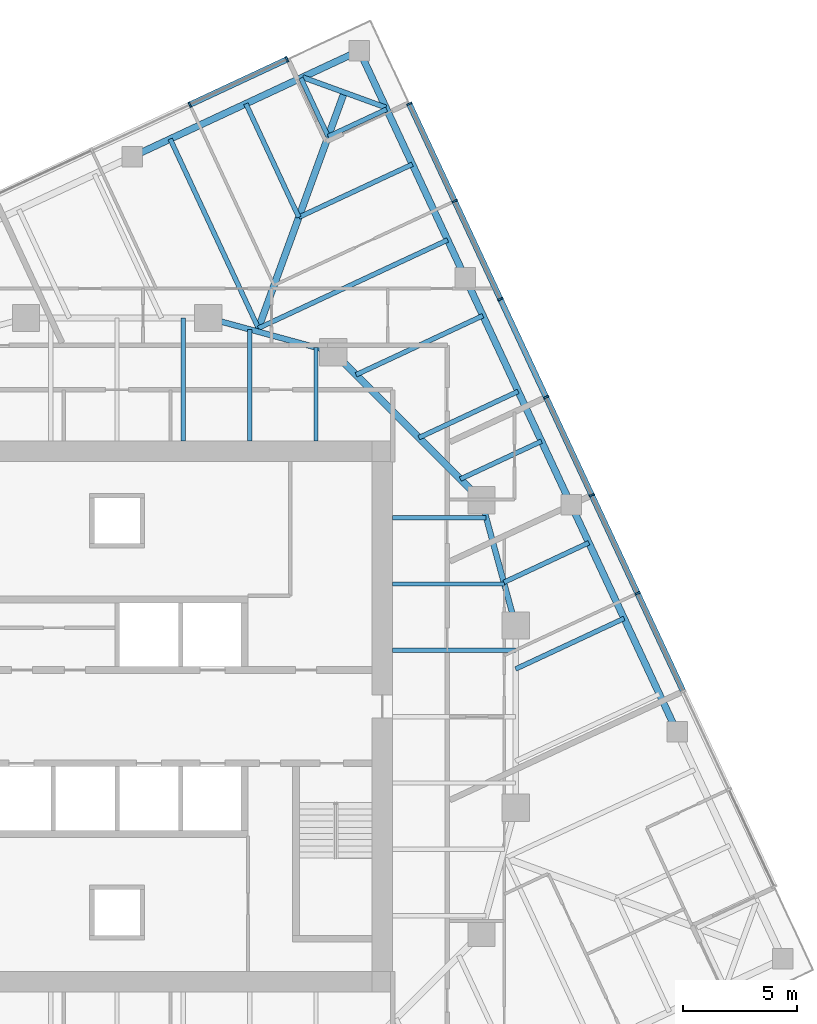
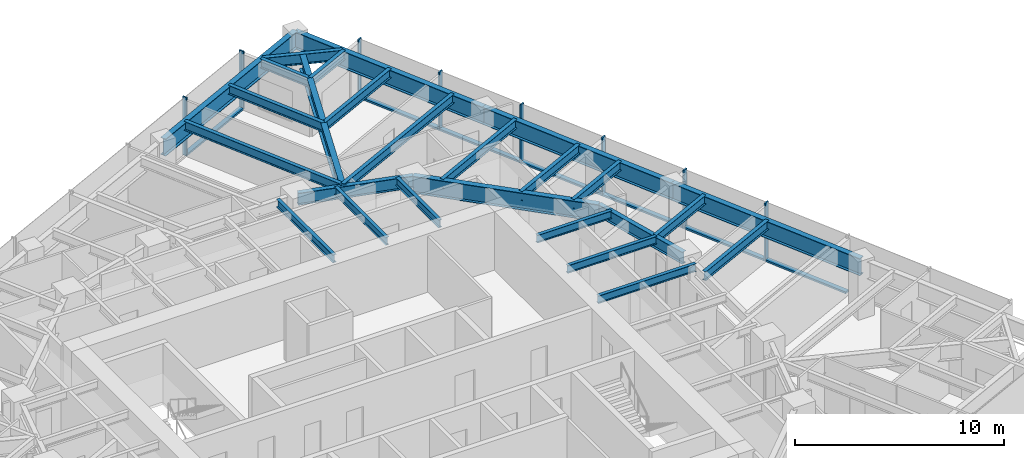
# One storey, part 5 of 13: 26 beams, 15 members, 2 elements without a shape of their own.
"""IFC4 building model written with IfcOpenShell, lengths in metres."""

import ifcopenshell
import ifcopenshell.guid

model = None  # the IFC model being written
_history = None  # IfcOwnerHistory: only IFC2X3 demands one
_inside = {}  # id of a spatial element -> (the spatial element, [elements in it])
_under = {}  # id of a project, library or spatial element -> (it, [spatial elements below it])
_declared = {}  # id of a project -> (the project, [libraries it declares])
_typed = {}  # id of a type object -> (the type object, [elements of that type])
_made_of = {}  # id of a material, layer set ... -> (it, [elements and type objects made of it])


def new_model(schema):
    """Start an empty IFC model of exactly this schema.

    Asked for "IFC4X3", IfcOpenShell would pick the latest addendum, in which some entities
    have other attributes; the version numbers below select the first issue.
    IFC2X3 requires an IfcOwnerHistory on every rooted entity: one is made here for all.
    """
    global model, _history
    if schema == "IFC4X3":
        model = ifcopenshell.file(schema_version=(4, 3, 0, 0))
    else:
        model = ifcopenshell.file(schema=schema)
    _inside.clear()
    _under.clear()
    _declared.clear()
    _typed.clear()
    _made_of.clear()
    _history = None
    if model.schema == "IFC2X3":
        org = make("IfcOrganization", Name="unknown")
        user = make(
            "IfcPersonAndOrganization",
            ThePerson=make("IfcPerson", FamilyName="unknown"),
            TheOrganization=org,
        )
        app = make(
            "IfcApplication",
            ApplicationDeveloper=org,
            Version="unknown",
            ApplicationFullName="unknown",
            ApplicationIdentifier="unknown",
        )
        _history = make(
            "IfcOwnerHistory",
            OwningUser=user,
            OwningApplication=app,
            ChangeAction="ADDED",
            CreationDate=0,
        )
    return model


def make(cls, **values):
    """One entity of the class cls with the attributes given. An attribute that is None is left unset."""
    return model.create_entity(
        cls, **{name: value for name, value in values.items() if value is not None}
    )


def rooted(cls, **values):
    """An entity with a GlobalId (a new one), such as an element, a storey or a relation."""
    return make(cls, GlobalId=ifcopenshell.guid.new(), OwnerHistory=_history, **values)


def si_unit(unit_type, name, prefix=None):
    """IfcSIUnit, for example si_unit("LENGTHUNIT", "METRE", prefix="MILLI")."""
    return make("IfcSIUnit", UnitType=unit_type, Prefix=prefix, Name=name)


def assignment(units):
    """IfcUnitAssignment: the units of a project."""
    return None if units is None else make("IfcUnitAssignment", Units=units)


def point(xyz):
    """IfcCartesianPoint."""
    return None if xyz is None else make("IfcCartesianPoint", Coordinates=xyz)


def direction(xyz):
    """IfcDirection."""
    return None if xyz is None else make("IfcDirection", DirectionRatios=xyz)


def frame(location, z_axis=None, x_axis=None):
    """IfcAxis2Placement3D, a coordinate frame: its origin and axes. An axis left out is left unset."""
    return make(
        "IfcAxis2Placement3D",
        Location=point(location),
        Axis=direction(z_axis),
        RefDirection=direction(x_axis),
    )


def frame_2d(location, x_axis=None):
    """IfcAxis2Placement2D, a coordinate frame in the plane: its origin and x axis."""
    return make(
        "IfcAxis2Placement2D", Location=point(location), RefDirection=direction(x_axis)
    )


def origin():
    """The frame at (0, 0, 0) with its axes left unset."""
    return frame((0.0, 0.0, 0.0))


def origin_2d():
    """The frame at (0, 0) in the plane with its x axis left unset."""
    return frame_2d((0.0, 0.0))


def place(relative_to, where):
    """IfcLocalPlacement: puts the frame where relative to a parent placement (None: the world)."""
    return make(
        "IfcLocalPlacement", PlacementRelTo=relative_to, RelativePlacement=where
    )


def context(
    kind, dimensions, precision=None, world=None, true_north=None, identifier=None
):
    """IfcGeometricRepresentationContext, for example the 3D "Model" context."""
    return make(
        "IfcGeometricRepresentationContext",
        ContextIdentifier=identifier,
        ContextType=kind,
        CoordinateSpaceDimension=dimensions,
        Precision=precision,
        WorldCoordinateSystem=world,
        TrueNorth=true_north,
    )


def subcontext(parent, identifier, kind, view, scale=None):
    """IfcGeometricRepresentationSubContext, for example "Body" below "Model"."""
    return make(
        "IfcGeometricRepresentationSubContext",
        ContextIdentifier=identifier,
        ContextType=kind,
        ParentContext=parent,
        TargetScale=scale,
        TargetView=view,
    )


def project(units=None, contexts=None):
    """IfcProject with its units and contexts."""
    return rooted(
        "IfcProject",
        Name="project",
        RepresentationContexts=contexts,
        UnitsInContext=assignment(units),
    )


def spatial(cls, under=None, at=None, **own):
    """A site, building, storey or space (cls), placed at a placement, below another one or the project."""
    s = rooted(cls, ObjectPlacement=at, **own)
    if under is not None:
        _under.setdefault(under.id(), (under, []))[1].append(s)
    return s


def profile(cls, at=None, kind="AREA", **sizes):
    """A parametric profile (cls). Its sizes go by their IFC names, for example OverallWidth=200.0."""
    return make(cls, ProfileType=kind, Position=at, **sizes)


def rectangle(**sizes):
    """IfcRectangleProfileDef."""
    return profile("IfcRectangleProfileDef", **sizes)


def i_section(**sizes):
    """IfcIShapeProfileDef."""
    return profile("IfcIShapeProfileDef", **sizes)


def extrude(swept, where, along, depth):
    """IfcExtrudedAreaSolid: the profile swept, set in the frame where, extruded along a direction by depth."""
    return make(
        "IfcExtrudedAreaSolid",
        SweptArea=swept,
        Position=where,
        ExtrudedDirection=direction(along),
        Depth=depth,
    )


def shape(context_of_items, identifier, shape_type, items):
    """IfcShapeRepresentation: the items that make up one representation, for example the "Body"."""
    return make(
        "IfcShapeRepresentation",
        ContextOfItems=context_of_items,
        RepresentationIdentifier=identifier,
        RepresentationType=shape_type,
        Items=items,
    )


def material(Name=None, Category=None):
    """IfcMaterial."""
    return make("IfcMaterial", Name=Name, Category=Category)


def material_profile(
    of_material, cross_section, Name=None, Category=None, Priority=None
):
    """IfcMaterialProfile: a cross section and its material."""
    return make(
        "IfcMaterialProfile",
        Name=Name,
        Material=of_material,
        Profile=cross_section,
        Priority=Priority,
        Category=Category,
    )


def profile_set(profiles, Name=None, composite=None):
    """IfcMaterialProfileSet."""
    return make(
        "IfcMaterialProfileSet",
        Name=Name,
        MaterialProfiles=profiles,
        CompositeProfile=composite,
    )


def made_of(thing, what):
    """Note that an element or type object is made of a material, layer set ...; save() writes the relation."""
    if what is not None:
        _made_of.setdefault(what.id(), (what, []))[1].append(thing)
    return thing


def type_object(cls, material=None, **own):
    """A type object (cls), such as IfcWallType, which elements share."""
    return made_of(rooted(cls, **own), material)


def element(
    cls,
    number,
    at=None,
    inside=None,
    cuts=None,
    type_object=None,
    material=None,
    context=None,
    identifier="Body",
    shape_type=None,
    held_by="IfcProductDefinitionShape",
    body=None,
    shapes=None,
    **own,
):
    """One element of the class cls, such as IfcWall. Its Tag is "e" and its number.

    at: its placement. inside: the storey or other place that contains it. cuts: it is an
    opening in that element (IfcRelVoidsElement). A single representation is given by context,
    identifier, shape_type and body (its items); several are given by shapes. held_by: the class
    of the entity that holds the representations. save() writes the other relations.
    """
    e = rooted(cls, Tag="e%d" % number, ObjectPlacement=at, **own)
    if body is not None:
        shapes = [shape(context, identifier, shape_type, body)]
    if shapes is not None:
        e.Representation = make(held_by, Representations=shapes)
    if inside is not None:
        _inside.setdefault(inside.id(), (inside, []))[1].append(e)
    if cuts is not None:
        rooted(
            "IfcRelVoidsElement", RelatingBuildingElement=cuts, RelatedOpeningElement=e
        )
    if type_object is not None:
        _typed.setdefault(type_object.id(), (type_object, []))[1].append(e)
    return made_of(e, material)


def aggregate(whole, parts):
    """IfcRelAggregates: a whole, such as a stair, and the parts it consists of."""
    return rooted("IfcRelAggregates", RelatingObject=whole, RelatedObjects=parts)


def save(model, path):
    """Write the relations noted so far, then the file.

    IfcRelAggregates (storeys below a building ...), IfcRelContainedInSpatialStructure (elements
    in a storey), IfcRelDefinesByType, IfcRelAssociatesMaterial and IfcRelDeclares: one each for
    every whole, place, type object, material and project.
    """
    for whole, parts in _under.values():
        aggregate(whole, parts)
    for where, things in _inside.values():
        rooted(
            "IfcRelContainedInSpatialStructure",
            RelatedElements=things,
            RelatingStructure=where,
        )
    for kind, things in _typed.values():
        rooted("IfcRelDefinesByType", RelatedObjects=things, RelatingType=kind)
    for what, things in _made_of.values():
        rooted("IfcRelAssociatesMaterial", RelatedObjects=things, RelatingMaterial=what)
    for by, libraries in _declared.values():
        rooted("IfcRelDeclares", RelatingContext=by, RelatedDefinitions=libraries)
    model.write(path)


model = new_model("IFC4")

# Units and contexts
model_context = context("Model", 3, precision=1e-05, world=origin(), true_north=direction((0.0, 1.0)))
body_context = subcontext(model_context, "Body", "Model", "MODEL_VIEW")
ifc_project = project(units=[si_unit("LENGTHUNIT", "METRE"), si_unit("AREAUNIT", "SQUARE_METRE"), si_unit("VOLUMEUNIT", "CUBIC_METRE"), si_unit("PLANEANGLEUNIT", "RADIAN"), si_unit("MASSUNIT", "GRAM", prefix="KILO")], contexts=[model_context])

# Site, building, storey
site_placement = place(None, origin())
site = spatial("IfcSite", under=ifc_project, at=site_placement, CompositionType="ELEMENT")
building_placement = place(site_placement, origin())
building = spatial("IfcBuilding", under=site, at=building_placement, Name="Torsade Residences", CompositionType="ELEMENT")
storey_placement = place(building_placement, frame((0.0, 0.0, 176.0)))
storey = spatial("IfcBuildingStorey", under=building, at=storey_placement, Name="L48", CompositionType="ELEMENT", Elevation=176.0)

# Beams
ifc_material_1 = material(Name="Steel grade 300", Category="steel")
ifc_material_profile_1 = material_profile(ifc_material_1, i_section(OverallWidth=0.300048828125, OverallDepth=0.89990234375, WebThickness=0.011962890625, FlangeThickness=0.02490234375, at=origin_2d()), Name="900WB175")
ifc_profile_set_1 = profile_set([ifc_material_profile_1], Name="Steel grade 300")
beam_type_1 = type_object("IfcBeamType", Name="CORNER GIRDER 900WB175", PredefinedType="BEAM", material=ifc_profile_set_1)
beam_1_placement = place(storey_placement, frame((49.97607421875, 57.4091796875, 2.800048828125), z_axis=(-0.342015044723, -0.93969447651, 0.0), x_axis=(0.93969447651, -0.342015044723, 0.0)))
element("IfcBeam", 1, at=beam_1_placement, inside=storey, type_object=beam_type_1, Name="Corner girder 09 L49", PredefinedType="BEAM", context=body_context, shape_type="SweptSolid", body=[
    extrude(i_section(OverallWidth=0.300048828125, OverallDepth=0.89990234375, WebThickness=0.011962890625, FlangeThickness=0.02490234375, at=origin_2d()), origin(), (0.0, 0.0, 1.0), 11.170654296875),
])
ifc_material_2 = material(Name="Steel grade 300", Category="steel")
ifc_material_profile_2 = material_profile(ifc_material_2, i_section(OverallWidth=0.22802734375, OverallDepth=0.60205078125, WebThickness=0.010498046875, FlangeThickness=0.014892578125, FilletRadius=0.013916015625, at=origin_2d()), Name="610UB101")
ifc_profile_set_2 = profile_set([ifc_material_profile_2], Name="Steel grade 300")
beam_type_2 = type_object("IfcBeamType", Name="CORNER TRIMMER 610UB101", PredefinedType="BEAM", material=ifc_profile_set_2)
beam_2_placement = place(storey_placement, frame((48.14892578125, 58.07421875, 2.948974609375), z_axis=(0.939698076972, -0.342005152204, 0.0), x_axis=(0.342005152204, 0.939698076972, 0.0)))
element("IfcBeam", 2, at=beam_2_placement, inside=storey, type_object=beam_type_2, Name="Corner trimmer 09 L49", PredefinedType="BEAM", context=body_context, shape_type="SweptSolid", body=[
    extrude(i_section(OverallWidth=0.22802734375, OverallDepth=0.60205078125, WebThickness=0.010498046875, FlangeThickness=0.014892578125, FilletRadius=0.013916015625, at=origin_2d()), origin(), (0.0, 0.0, 1.0), 3.88916015625),
])
ifc_material_3 = material(Name="Steel grade 300", Category="steel")
ifc_material_profile_3 = material_profile(ifc_material_3, i_section(OverallWidth=0.300048828125, OverallDepth=1.0, WebThickness=0.01611328125, FlangeThickness=0.028076171875, at=origin_2d()), Name="1000WB215")
ifc_profile_set_3 = profile_set([ifc_material_profile_3], Name="Steel grade 300")
beam_type_3 = type_object("IfcBeamType", Name="EDGE BEAM 1000WB215", PredefinedType="SPANDREL", material=ifc_profile_set_3)
beam_3_placement = place(storey_placement, frame((64.587646484375, 29.328125, 2.75), z_axis=(-0.422624219007, 0.906305009094, 0.0), x_axis=(-0.906305009094, -0.422624219007, 0.0)))
element("IfcBeam", 3, at=beam_3_placement, inside=storey, type_object=beam_type_3, Name="Edge beam 06 L49", PredefinedType="SPANDREL", context=body_context, shape_type="SweptSolid", body=[
    extrude(i_section(OverallWidth=0.300048828125, OverallDepth=1.0, WebThickness=0.01611328125, FlangeThickness=0.028076171875, at=origin_2d()), origin(), (0.0, 0.0, 1.0), 11.000244140625),
])
for number, where, z_axis, x_axis, name in (
    (4, (59.938720703125, 39.297607421875, 2.75), (-0.422605988587, 0.906313510001, 0.0), (-0.906313510001, -0.422605988587, 0.0), "Edge beam 07 L49"),
    (5, (55.2900390625, 49.26708984375, 2.75), (-0.422632720171, 0.90630104482, 0.0), (-0.90630104482, -0.422632720171, 0.0), "Edge beam 08 L49"),
):
    element("IfcBeam", number, at=place(storey_placement, frame(where, z_axis=z_axis, x_axis=x_axis)), inside=storey, type_object=beam_type_3, Name=name, PredefinedType="SPANDREL", context=body_context, shape_type="SweptSolid", body=[
        extrude(i_section(OverallWidth=0.300048828125, OverallDepth=1.0, WebThickness=0.01611328125, FlangeThickness=0.028076171875, at=origin_2d()), origin(), (0.0, 0.0, 1.0), 11.0),
    ])
beam_4_placement = place(storey_placement, frame((50.64111328125, 59.236328125, 2.75), z_axis=(-0.906309546032, -0.422614489543, 0.0), x_axis=(0.422614489543, -0.906309546032, 0.0)))
element("IfcBeam", 6, at=beam_4_placement, inside=storey, type_object=beam_type_3, Name="Edge beam 09 L49", PredefinedType="SPANDREL", context=body_context, shape_type="SweptSolid", body=[
    extrude(i_section(OverallWidth=0.300048828125, OverallDepth=1.0, WebThickness=0.01611328125, FlangeThickness=0.028076171875, at=origin_2d()), origin(), (0.0, 0.0, 1.0), 10.999755859375),
])
ifc_material_4 = material(Name="Steel grade 300", Category="steel")
ifc_material_profile_4 = material_profile(ifc_material_4, i_section(OverallWidth=0.18994140625, OverallDepth=0.4541015625, WebThickness=0.008544921875, FlangeThickness=0.0126953125, FilletRadius=0.011474609375, at=origin_2d()), Name="460UB67.1")
ifc_profile_set_4 = profile_set([ifc_material_profile_4], Name="Steel grade 300")
beam_type_4 = type_object("IfcBeamType", Name="INNER FLOOR BEAM 460UB67.1", PredefinedType="JOIST", material=ifc_profile_set_4)
beam_5_placement = place(storey_placement, frame((42.91259765625, 42.10009765625, 3.02294921875), z_axis=(0.0, 1.0, 0.0), x_axis=(-1.0, 0.0, 0.0)))
element("IfcBeam", 7, at=beam_5_placement, inside=storey, type_object=beam_type_4, Name="Inner floor beam IN05 L49", PredefinedType="JOIST", context=body_context, shape_type="SweptSolid", body=[
    extrude(i_section(OverallWidth=0.18994140625, OverallDepth=0.4541015625, WebThickness=0.008544921875, FlangeThickness=0.0126953125, FilletRadius=0.011474609375, at=origin_2d()), origin(), (0.0, 0.0, 1.0), 5.39990234375),
])
beam_6_placement = place(storey_placement, frame((45.824951171875, 42.10009765625, 3.02294921875), z_axis=(0.0, 1.0, 0.0), x_axis=(-1.0, 0.0, 0.0)))
element("IfcBeam", 8, at=beam_6_placement, inside=storey, type_object=beam_type_4, Name="Inner floor beam IN06 L49", PredefinedType="JOIST", context=body_context, shape_type="SweptSolid", body=[
    extrude(i_section(OverallWidth=0.18994140625, OverallDepth=0.4541015625, WebThickness=0.008544921875, FlangeThickness=0.0126953125, FilletRadius=0.011474609375, at=origin_2d()), origin(), (0.0, 0.0, 1.0), 4.902099609375),
])
beam_7_placement = place(storey_placement, frame((48.737548828125, 42.10009765625, 3.02294921875), z_axis=(0.0, 1.0, 0.0), x_axis=(-1.0, 0.0, 0.0)))
element("IfcBeam", 9, at=beam_7_placement, inside=storey, type_object=beam_type_4, Name="Inner floor beam IN07 L49", PredefinedType="JOIST", context=body_context, shape_type="SweptSolid", body=[
    extrude(i_section(OverallWidth=0.18994140625, OverallDepth=0.4541015625, WebThickness=0.008544921875, FlangeThickness=0.0126953125, FilletRadius=0.011474609375, at=origin_2d()), origin(), (0.0, 0.0, 1.0), 4.10791015625),
])
beam_8_placement = place(storey_placement, frame((52.10009765625, 32.91259765625, 3.02294921875), z_axis=(1.0, 0.0, 0.0), x_axis=(0.0, 1.0, 0.0)))
element("IfcBeam", 10, at=beam_8_placement, inside=storey, type_object=beam_type_4, Name="Inner floor beam IE05 L49", PredefinedType="JOIST", context=body_context, shape_type="SweptSolid", body=[
    extrude(i_section(OverallWidth=0.18994140625, OverallDepth=0.4541015625, WebThickness=0.008544921875, FlangeThickness=0.0126953125, FilletRadius=0.011474609375, at=origin_2d()), origin(), (0.0, 0.0, 1.0), 5.39990234375),
])
beam_9_placement = place(storey_placement, frame((52.10009765625, 35.824951171875, 3.02294921875), z_axis=(1.0, 0.0, 0.0), x_axis=(0.0, 1.0, 0.0)))
element("IfcBeam", 11, at=beam_9_placement, inside=storey, type_object=beam_type_4, Name="Inner floor beam IE06 L49", PredefinedType="JOIST", context=body_context, shape_type="SweptSolid", body=[
    extrude(i_section(OverallWidth=0.18994140625, OverallDepth=0.4541015625, WebThickness=0.008544921875, FlangeThickness=0.0126953125, FilletRadius=0.011474609375, at=origin_2d()), origin(), (0.0, 0.0, 1.0), 4.902099609375),
])
beam_10_placement = place(storey_placement, frame((52.10009765625, 38.737548828125, 3.02294921875), z_axis=(1.0, 0.0, 0.0), x_axis=(0.0, 1.0, 0.0)))
element("IfcBeam", 12, at=beam_10_placement, inside=storey, type_object=beam_type_4, Name="Inner floor beam IE07 L49", PredefinedType="JOIST", context=body_context, shape_type="SweptSolid", body=[
    extrude(i_section(OverallWidth=0.18994140625, OverallDepth=0.4541015625, WebThickness=0.008544921875, FlangeThickness=0.0126953125, FilletRadius=0.011474609375, at=origin_2d()), origin(), (0.0, 0.0, 1.0), 4.10791015625),
])

# Curtain wall, members
ifc_material_5 = material(Name="Aluminium and glass", Category="aluminium")
curtain_wall_type = type_object("IfcCurtainWallType", Name="FRITTED GLASS CURTAIN WALL MID ZONE", PredefinedType="NOTDEFINED", material=ifc_material_5)
curtain_wall_1_placement = place(storey_placement, origin())
curtain_wall_1 = element("IfcCurtainWall", 13, at=curtain_wall_1_placement, inside=storey, type_object=curtain_wall_type, Name="Curtain wall L48 face 4", PredefinedType="NOTDEFINED")
ifc_material_6 = material(Name="Aluminium mullion", Category="aluminium")
ifc_material_profile_5 = material_profile(ifc_material_6, rectangle(XDim=0.25, YDim=0.080078125, at=origin_2d()), Name="MID ZONE CURTAIN WALL MULLION 250x80")
ifc_profile_set_5 = profile_set([ifc_material_profile_5], Name="Aluminium mullion")
member_type_1 = type_object("IfcMemberType", Name="MID ZONE CURTAIN WALL MULLION 250x80", PredefinedType="MULLION", material=ifc_profile_set_5)
member_1_placement = place(storey_placement, frame((62.8525390625, 35.415283203125, 0.0), z_axis=(0.0, 0.0, 1.0), x_axis=(-0.906307786926, -0.422618261978, 0.0)))
member_1 = element("IfcMember", 14, at=member_1_placement, type_object=member_type_1, Name="Mullion 4", PredefinedType="MULLION", context=body_context, shape_type="SweptSolid", body=[
    extrude(rectangle(XDim=0.25, YDim=0.080078125, at=origin_2d()), origin(), (0.0, 0.0, 1.0), 3.39990234375),
])
member_2_placement = place(storey_placement, frame((60.844970703125, 39.72021484375, 0.0), z_axis=(0.0, 0.0, 1.0), x_axis=(-0.906307786926, -0.422618261978, 0.0)))
member_2 = element("IfcMember", 15, at=member_2_placement, type_object=member_type_1, Name="Mullion 5", PredefinedType="MULLION", context=body_context, shape_type="SweptSolid", body=[
    extrude(rectangle(XDim=0.25, YDim=0.080078125, at=origin_2d()), origin(), (0.0, 0.0, 1.0), 3.39990234375),
])
member_3_placement = place(storey_placement, frame((58.837646484375, 44.025146484375, 0.0), z_axis=(0.0, 0.0, 1.0), x_axis=(-0.906307786926, -0.422618261978, 0.0)))
member_3 = element("IfcMember", 16, at=member_3_placement, type_object=member_type_1, Name="Mullion 6", PredefinedType="MULLION", context=body_context, shape_type="SweptSolid", body=[
    extrude(rectangle(XDim=0.25, YDim=0.080078125, at=origin_2d()), origin(), (0.0, 0.0, 1.0), 3.39990234375),
])
member_4_placement = place(storey_placement, frame((56.830322265625, 48.330078125, 0.0), z_axis=(0.0, 0.0, 1.0), x_axis=(-0.906307786926, -0.422618261978, 0.0)))
member_4 = element("IfcMember", 17, at=member_4_placement, type_object=member_type_1, Name="Mullion 7", PredefinedType="MULLION", context=body_context, shape_type="SweptSolid", body=[
    extrude(rectangle(XDim=0.25, YDim=0.080078125, at=origin_2d()), origin(), (0.0, 0.0, 1.0), 3.39990234375),
])
member_5_placement = place(storey_placement, frame((54.82275390625, 52.635009765625, 0.0), z_axis=(0.0, 0.0, 1.0), x_axis=(-0.906307786926, -0.422618261978, 0.0)))
member_5 = element("IfcMember", 18, at=member_5_placement, type_object=member_type_1, Name="Mullion 8", PredefinedType="MULLION", context=body_context, shape_type="SweptSolid", body=[
    extrude(rectangle(XDim=0.25, YDim=0.080078125, at=origin_2d()), origin(), (0.0, 0.0, 1.0), 3.39990234375),
])
member_6_placement = place(storey_placement, frame((52.832275390625, 56.90380859375, 0.0), z_axis=(0.0, 0.0, 1.0), x_axis=(-0.906307786926, -0.422618261978, 0.0)))
member_6 = element("IfcMember", 19, at=member_6_placement, type_object=member_type_1, Name="Mullion 9", PredefinedType="MULLION", context=body_context, shape_type="SweptSolid", body=[
    extrude(rectangle(XDim=0.25, YDim=0.080078125, at=origin_2d()), origin(), (0.0, 0.0, 1.0), 3.39990234375),
])

curtain_wall_2_placement = place(storey_placement, origin())
curtain_wall_2 = element("IfcCurtainWall", 20, at=curtain_wall_2_placement, inside=storey, type_object=curtain_wall_type, Name="Curtain wall L48 face 7", PredefinedType="NOTDEFINED")
member_7_placement = place(storey_placement, frame((47.46337890625, 58.85791015625, 0.0), z_axis=(0.0, 0.0, 1.0), x_axis=(0.422618261978, -0.906307786926, 0.0)))
member_7 = element("IfcMember", 21, at=member_7_placement, type_object=member_type_1, Name="Mullion 1", PredefinedType="MULLION", context=body_context, shape_type="SweptSolid", body=[
    extrude(rectangle(XDim=0.25, YDim=0.080078125, at=origin_2d()), origin(), (0.0, 0.0, 1.0), 3.39990234375),
])
member_8_placement = place(storey_placement, frame((43.194580078125, 56.867431640625, 0.0), z_axis=(0.0, 0.0, 1.0), x_axis=(0.422618261978, -0.906307786926, 0.0)))
member_8 = element("IfcMember", 22, at=member_8_placement, type_object=member_type_1, Name="Mullion 2", PredefinedType="MULLION", context=body_context, shape_type="SweptSolid", body=[
    extrude(rectangle(XDim=0.25, YDim=0.080078125, at=origin_2d()), origin(), (0.0, 0.0, 1.0), 3.39990234375),
])

# Member
ifc_material_7 = material(Name="Aluminium transom", Category="aluminium")
ifc_material_profile_6 = material_profile(ifc_material_7, rectangle(XDim=0.25, YDim=0.110107421875, at=origin_2d()), Name="MID ZONE CURTAIN WALL TRANSOM 250x110")
ifc_profile_set_6 = profile_set([ifc_material_profile_6], Name="Aluminium transom")
member_type_2 = type_object("IfcMemberType", Name="MID ZONE CURTAIN WALL TRANSOM 250x110", PredefinedType="USERDEFINED", material=ifc_profile_set_6)
member_9_placement = place(storey_placement, frame((64.843017578125, 31.146484375, 0.054931640625), z_axis=(-0.422622145291, 0.906305976097, 0.0), x_axis=(-0.906305976097, -0.422622145291, 0.0)))
member_9 = element("IfcMember", 23, at=member_9_placement, type_object=member_type_2, Name="Transom 3.1", ObjectType="TRANSOM", PredefinedType="USERDEFINED", context=body_context, shape_type="SweptSolid", body=[
    extrude(rectangle(XDim=0.25, YDim=0.110107421875, at=origin_2d()), origin(), (0.0, 0.0, 1.0), 4.669921875),
])

member_10_placement = place(storey_placement, frame((62.835693359375, 35.451416015625, 0.054931640625), z_axis=(-0.422602122035, 0.90631531293, 0.0), x_axis=(-0.90631531293, -0.422602122035, 0.0)))
member_10 = element("IfcMember", 24, at=member_10_placement, type_object=member_type_2, Name="Transom 4.1", ObjectType="TRANSOM", PredefinedType="USERDEFINED", context=body_context, shape_type="SweptSolid", body=[
    extrude(rectangle(XDim=0.25, YDim=0.110107421875, at=origin_2d()), origin(), (0.0, 0.0, 1.0), 4.670166015625),
])

member_11_placement = place(storey_placement, frame((60.828125, 39.756591796875, 0.054931640625), z_axis=(-0.422622145291, 0.906305976097, 0.0), x_axis=(-0.906305976097, -0.422622145291, 0.0)))
member_11 = element("IfcMember", 25, at=member_11_placement, type_object=member_type_2, Name="Transom 5.1", ObjectType="TRANSOM", PredefinedType="USERDEFINED", context=body_context, shape_type="SweptSolid", body=[
    extrude(rectangle(XDim=0.25, YDim=0.110107421875, at=origin_2d()), origin(), (0.0, 0.0, 1.0), 4.669921875),
])

member_12_placement = place(storey_placement, frame((58.82080078125, 44.0615234375, 0.054931640625), z_axis=(-0.422622145291, 0.906305976097, 0.0), x_axis=(-0.906305976097, -0.422622145291, 0.0)))
member_12 = element("IfcMember", 26, at=member_12_placement, type_object=member_type_2, Name="Transom 6.1", ObjectType="TRANSOM", PredefinedType="USERDEFINED", context=body_context, shape_type="SweptSolid", body=[
    extrude(rectangle(XDim=0.25, YDim=0.110107421875, at=origin_2d()), origin(), (0.0, 0.0, 1.0), 4.669921875),
])

member_13_placement = place(storey_placement, frame((56.813232421875, 48.366455078125, 0.054931640625), z_axis=(-0.422622145291, 0.906305976097, 0.0), x_axis=(-0.906305976097, -0.422622145291, 0.0)))
member_13 = element("IfcMember", 27, at=member_13_placement, type_object=member_type_2, Name="Transom 7.1", ObjectType="TRANSOM", PredefinedType="USERDEFINED", context=body_context, shape_type="SweptSolid", body=[
    extrude(rectangle(XDim=0.25, YDim=0.110107421875, at=origin_2d()), origin(), (0.0, 0.0, 1.0), 4.669921875),
])

member_14_placement = place(storey_placement, frame((54.805908203125, 52.67138671875, 0.054931640625), z_axis=(-0.422622764878, 0.906305687176, 0.0), x_axis=(-0.906305687176, -0.422622764878, 0.0)))
member_14 = element("IfcMember", 28, at=member_14_placement, type_object=member_type_2, Name="Transom 8.1", ObjectType="TRANSOM", PredefinedType="USERDEFINED", context=body_context, shape_type="SweptSolid", body=[
    extrude(rectangle(XDim=0.25, YDim=0.110107421875, at=origin_2d()), origin(), (0.0, 0.0, 1.0), 4.630126953125),
])

aggregate(curtain_wall_1, [member_1, member_2, member_3, member_4, member_5, member_6, member_9, member_10, member_11, member_12, member_13, member_14])

member_15_placement = place(storey_placement, frame((47.427001953125, 58.841064453125, 0.054931640625), z_axis=(-0.906296268578, -0.422642962277, 0.0), x_axis=(0.422642962277, -0.906296268578, 0.0)))
member_15 = element("IfcMember", 29, at=member_15_placement, type_object=member_type_2, Name="Transom 1.1", ObjectType="TRANSOM", PredefinedType="USERDEFINED", context=body_context, shape_type="SweptSolid", body=[
    extrude(rectangle(XDim=0.25, YDim=0.110107421875, at=origin_2d()), origin(), (0.0, 0.0, 1.0), 4.6298828125),
])

aggregate(curtain_wall_2, [member_7, member_8, member_15])

# Beams
ifc_material_8 = material(Name="Steel grade 300", Category="steel")
ifc_material_profile_7 = material_profile(ifc_material_8, i_section(OverallWidth=0.300048828125, OverallDepth=1.0, WebThickness=0.01611328125, FlangeThickness=0.028076171875, at=origin_2d()), Name="1000WB215")
ifc_profile_set_7 = profile_set([ifc_material_profile_7], Name="Steel grade 300")
beam_type_5 = type_object("IfcBeamType", Name="RING CORNER GIRDER 1000WB215", PredefinedType="BEAM", material=ifc_profile_set_7)
beam_11_placement = place(storey_placement, frame((56.0, 39.5, 2.75), z_axis=(-0.707106781187, 0.707106781187, 0.0), x_axis=(-0.707106781187, -0.707106781187, 0.0)))
element("IfcBeam", 30, at=beam_11_placement, inside=storey, type_object=beam_type_5, Name="Ring girder IR03 L49", PredefinedType="BEAM", context=body_context, shape_type="SweptSolid", body=[
    extrude(i_section(OverallWidth=0.300048828125, OverallDepth=1.0, WebThickness=0.01611328125, FlangeThickness=0.028076171875, at=origin_2d()), origin(), (0.0, 0.0, 1.0), 9.1923828125),
])
ifc_material_9 = material(Name="Steel grade 300", Category="steel")
ifc_material_profile_8 = material_profile(ifc_material_9, i_section(OverallWidth=0.25, OverallDepth=0.699951171875, WebThickness=0.010009765625, FlangeThickness=0.02001953125, at=origin_2d()), Name="700WB130")
ifc_profile_set_8 = profile_set([ifc_material_profile_8], Name="Steel grade 300")
beam_type_6 = type_object("IfcBeamType", Name="RING GIRDER 700WB130", PredefinedType="BEAM", material=ifc_profile_set_8)
for number, where, z_axis, x_axis, name in (
    (31, (57.5, 34.0, 2.89990234375), (-0.263117405792, 0.964763821238, 0.0), (-0.964763821238, -0.263117405792, 0.0), "Ring girder IR02 L49"),
    (32, (49.5, 46.0, 2.89990234375), (-0.964763821238, 0.263117405792, 0.0), (-0.263117405792, -0.964763821238, 0.0), "Ring girder IR04 L49"),
):
    element("IfcBeam", number, at=place(storey_placement, frame(where, z_axis=z_axis, x_axis=x_axis)), inside=storey, type_object=beam_type_6, Name=name, PredefinedType="BEAM", context=body_context, shape_type="SweptSolid", body=[
        extrude(i_section(OverallWidth=0.25, OverallDepth=0.699951171875, WebThickness=0.010009765625, FlangeThickness=0.02001953125, at=origin_2d()), origin(), (0.0, 0.0, 1.0), 5.700927734375),
    ])
ifc_material_10 = material(Name="Steel grade 300", Category="steel")
ifc_material_profile_9 = material_profile(ifc_material_10, i_section(OverallWidth=0.208984375, OverallDepth=0.528076171875, WebThickness=0.009521484375, FlangeThickness=0.01318359375, FilletRadius=0.013916015625, at=origin_2d()), Name="530UB82.0")
ifc_profile_set_9 = profile_set([ifc_material_profile_9], Name="Steel grade 300")
beam_type_7 = type_object("IfcBeamType", Name="SECONDARY BEAM 530UB82.0", PredefinedType="JOIST", material=ifc_profile_set_9)
beam_12_placement = place(storey_placement, frame((62.26318359375, 34.31298828125, 2.986083984375), z_axis=(-0.90630178035, -0.422631142882, 0.0), x_axis=(0.422631142882, -0.90630178035, 0.0)))
element("IfcBeam", 33, at=beam_12_placement, inside=storey, type_object=beam_type_7, Name="Floor beam FE05 L49", PredefinedType="JOIST", context=body_context, shape_type="SweptSolid", body=[
    extrude(i_section(OverallWidth=0.208984375, OverallDepth=0.528076171875, WebThickness=0.009521484375, FlangeThickness=0.01318359375, FilletRadius=0.013916015625, at=origin_2d()), origin(), (0.0, 0.0, 1.0), 5.255615234375),
])
beam_13_placement = place(storey_placement, frame((60.713623046875, 37.635986328125, 2.986083984375), z_axis=(-0.906299775267, -0.422635442612, 0.0), x_axis=(0.422635442612, -0.906299775267, 0.0)))
element("IfcBeam", 34, at=beam_13_placement, inside=storey, type_object=beam_type_7, Name="Floor beam FE06 L49", PredefinedType="JOIST", context=body_context, shape_type="SweptSolid", body=[
    extrude(i_section(OverallWidth=0.208984375, OverallDepth=0.528076171875, WebThickness=0.009521484375, FlangeThickness=0.01318359375, FilletRadius=0.013916015625, at=origin_2d()), origin(), (0.0, 0.0, 1.0), 4.116455078125),
])
beam_14_placement = place(storey_placement, frame((58.6357421875, 42.092041015625, 2.986083984375), z_axis=(-0.906295680735, -0.422644222818, 0.0), x_axis=(0.422644222818, -0.906295680735, 0.0)))
element("IfcBeam", 35, at=beam_14_placement, inside=storey, type_object=beam_type_7, Name="Floor beam FE07 L49", PredefinedType="JOIST", context=body_context, shape_type="SweptSolid", body=[
    extrude(i_section(OverallWidth=0.208984375, OverallDepth=0.528076171875, WebThickness=0.009521484375, FlangeThickness=0.01318359375, FilletRadius=0.013916015625, at=origin_2d()), origin(), (0.0, 0.0, 1.0), 3.933837890625),
])
beam_15_placement = place(storey_placement, frame((57.6142578125, 44.2822265625, 2.986083984375), z_axis=(-0.906307500203, -0.422618876857, 0.0), x_axis=(0.422618876857, -0.906307500203, 0.0)))
element("IfcBeam", 36, at=beam_15_placement, inside=storey, type_object=beam_type_7, Name="Floor beam FE08 L49", PredefinedType="JOIST", context=body_context, shape_type="SweptSolid", body=[
    extrude(i_section(OverallWidth=0.208984375, OverallDepth=0.528076171875, WebThickness=0.009521484375, FlangeThickness=0.01318359375, FilletRadius=0.013916015625, at=origin_2d()), origin(), (0.0, 0.0, 1.0), 4.813232421875),
])
beam_16_placement = place(storey_placement, frame((56.064697265625, 47.60546875, 2.986083984375), z_axis=(-0.906293692233, -0.42264848683, 0.0), x_axis=(0.42264848683, -0.906293692233, 0.0)))
element("IfcBeam", 37, at=beam_16_placement, inside=storey, type_object=beam_type_7, Name="Floor beam FE09 L49", PredefinedType="JOIST", context=body_context, shape_type="SweptSolid", body=[
    extrude(i_section(OverallWidth=0.208984375, OverallDepth=0.528076171875, WebThickness=0.009521484375, FlangeThickness=0.01318359375, FilletRadius=0.013916015625, at=origin_2d()), origin(), (0.0, 0.0, 1.0), 6.14794921875),
])
beam_17_placement = place(storey_placement, frame((54.51513671875, 50.928466796875, 2.986083984375), z_axis=(-0.90630761667, -0.422618627092, 0.0), x_axis=(0.422618627092, -0.90630761667, 0.0)))
element("IfcBeam", 38, at=beam_17_placement, inside=storey, type_object=beam_type_7, Name="Floor beam FE10 L49", PredefinedType="JOIST", context=body_context, shape_type="SweptSolid", body=[
    extrude(i_section(OverallWidth=0.208984375, OverallDepth=0.528076171875, WebThickness=0.009521484375, FlangeThickness=0.01318359375, FilletRadius=0.013916015625, at=origin_2d()), origin(), (0.0, 0.0, 1.0), 9.166748046875),
])
beam_18_placement = place(storey_placement, frame((52.965576171875, 54.251708984375, 2.986083984375), z_axis=(-0.90630104482, -0.422632720171, 0.0), x_axis=(0.422632720171, -0.90630104482, 0.0)))
element("IfcBeam", 39, at=beam_18_placement, inside=storey, type_object=beam_type_7, Name="Floor beam FE11 L49", PredefinedType="JOIST", context=body_context, shape_type="SweptSolid", body=[
    extrude(i_section(OverallWidth=0.208984375, OverallDepth=0.528076171875, WebThickness=0.009521484375, FlangeThickness=0.01318359375, FilletRadius=0.013916015625, at=origin_2d()), origin(), (0.0, 0.0, 1.0), 5.5),
])
for number, where, z_axis, x_axis, name in (
    (40, (51.838623046875, 56.66845703125, 2.986083984375), (-0.906328379221, -0.42257409885, 0.0), (0.42257409885, -0.906328379221, 0.0), "Floor beam FE12 L49"),
    (41, (48.0732421875, 58.0390625, 2.986083984375), (0.422644877104, -0.906295375613, 0.0), (0.906295375613, 0.422644877104, 0.0), "Floor beam FN01 L49"),
):
    element("IfcBeam", number, at=place(storey_placement, frame(where, z_axis=z_axis, x_axis=x_axis)), inside=storey, type_object=beam_type_7, Name=name, PredefinedType="JOIST", context=body_context, shape_type="SweptSolid", body=[
        extrude(i_section(OverallWidth=0.208984375, OverallDepth=0.528076171875, WebThickness=0.009521484375, FlangeThickness=0.01318359375, FilletRadius=0.013916015625, at=origin_2d()), origin(), (0.0, 0.0, 1.0), 2.833251953125),
    ])
beam_19_placement = place(storey_placement, frame((45.656494140625, 56.911865234375, 2.986083984375), z_axis=(0.422632720171, -0.90630104482, 0.0), x_axis=(0.90630104482, 0.422632720171, 0.0)))
element("IfcBeam", 42, at=beam_19_placement, inside=storey, type_object=beam_type_7, Name="Floor beam FN02 L49", PredefinedType="JOIST", context=body_context, shape_type="SweptSolid", body=[
    extrude(i_section(OverallWidth=0.208984375, OverallDepth=0.528076171875, WebThickness=0.009521484375, FlangeThickness=0.01318359375, FilletRadius=0.013916015625, at=origin_2d()), origin(), (0.0, 0.0, 1.0), 5.5),
])
beam_20_placement = place(storey_placement, frame((42.333251953125, 55.3623046875, 2.986083984375), z_axis=(0.422618627092, -0.90630761667, 0.0), x_axis=(0.90630761667, 0.422618627092, 0.0)))
element("IfcBeam", 43, at=beam_20_placement, inside=storey, type_object=beam_type_7, Name="Floor beam FN03 L49", PredefinedType="JOIST", context=body_context, shape_type="SweptSolid", body=[
    extrude(i_section(OverallWidth=0.208984375, OverallDepth=0.528076171875, WebThickness=0.009521484375, FlangeThickness=0.01318359375, FilletRadius=0.013916015625, at=origin_2d()), origin(), (0.0, 0.0, 1.0), 9.166748046875),
])

save(model, "model.ifc")
